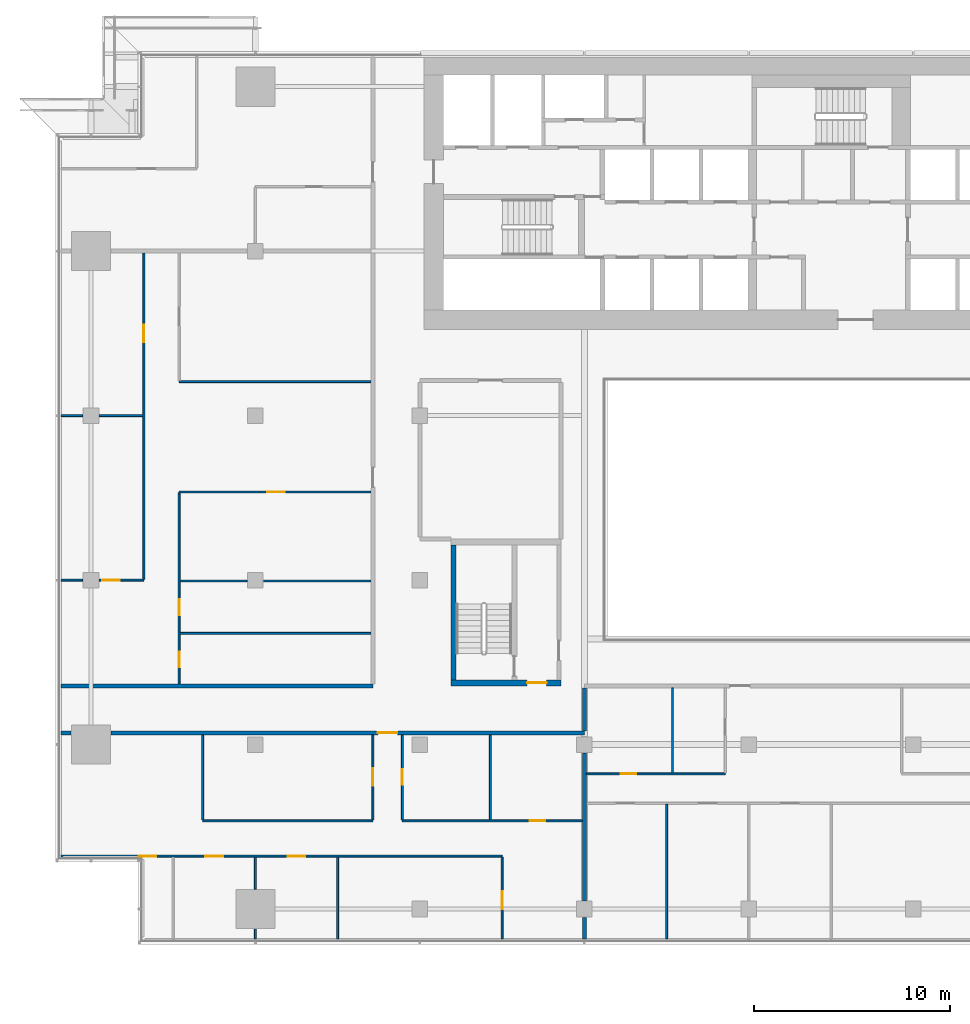
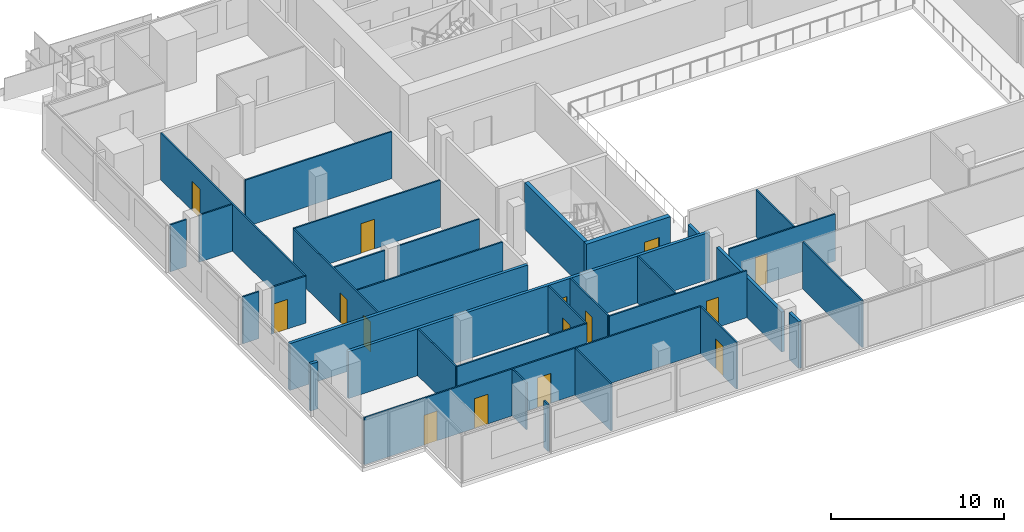
# One storey, part 18 of 30: 33 walls, 15 doors, 15 openings.
"""IFC4 building model written with IfcOpenShell, lengths in metres."""

from ifc_helpers import new_model, si_unit, direction, frame, frame_2d, origin, place, context, subcontext, project, spatial, rectangle, extrude, material, layer, layer_set, type_object, element, fill, save


model = new_model("IFC4")

# Units and contexts
model_context = context("Model", 3, precision=1e-05, world=origin(), true_north=direction((0.0, 1.0)))
body_context = subcontext(model_context, "Body", "Model", "MODEL_VIEW")
ifc_project = project(units=[si_unit("LENGTHUNIT", "METRE"), si_unit("AREAUNIT", "SQUARE_METRE"), si_unit("VOLUMEUNIT", "CUBIC_METRE"), si_unit("PLANEANGLEUNIT", "RADIAN"), si_unit("MASSUNIT", "GRAM", prefix="KILO")], contexts=[model_context])

# Site, building, storey
site_placement = place(None, origin())
site = spatial("IfcSite", under=ifc_project, at=site_placement, CompositionType="ELEMENT")
building_placement = place(site_placement, origin())
building = spatial("IfcBuilding", under=site, at=building_placement, Name="Saffron Gate Tower", CompositionType="ELEMENT")
storey_placement = place(building_placement, frame((0.0, 0.0, 127.64990234375)))
storey = spatial("IfcBuildingStorey", under=building, at=storey_placement, Name="L30", CompositionType="ELEMENT", Elevation=127.64990234375)

# Wall
ifc_material_1 = material(Name="Concrete C70", Category="concrete")
ifc_layer_1 = layer(ifc_material_1, 0.25)
ifc_layer_set_1 = layer_set([ifc_layer_1], Name="CW2 RC core wall 250 C70")
wall_type_1 = type_object("IfcWallType", Name="CW2 RC core wall 250 C70", PredefinedType="SOLIDWALL", material=ifc_layer_set_1)
wall_1_placement = place(storey_placement, frame((68.324951171875, 43.5, 0.0), z_axis=(0.0, 0.0, 1.0), x_axis=(0.0, 1.0, 0.0)))
element("IfcWall", 1, at=wall_1_placement, inside=storey, type_object=wall_type_1, Name="Wall CW2-L30-D-2", PredefinedType="SOLIDWALL", context=body_context, shape_type="SweptSolid", body=[
    extrude(rectangle(XDim=6.89990234375, YDim=0.25, at=frame_2d((3.449951171875, 0.0))), origin(), (0.0, 0.0, 1.0), 3.320068359375),
])

# Wall, opening, door
ifc_layer_2 = layer(ifc_material_1, 0.300048828125)
ifc_layer_set_2 = layer_set([ifc_layer_2], Name="CW5 RC core wall 300 C70")
wall_type_2 = type_object("IfcWallType", Name="CW5 RC core wall 300 C70", PredefinedType="SOLIDWALL", material=ifc_layer_set_2)
wall_2_placement = place(storey_placement, frame((68.199951171875, 43.35009765625, 0.0), z_axis=(0.0, 0.0, 1.0), x_axis=(1.0, 0.0, 0.0)))
wall_2 = element("IfcWall", 2, at=wall_2_placement, inside=storey, type_object=wall_type_2, Name="Wall CW5-L30-D-1", PredefinedType="SOLIDWALL", context=body_context, shape_type="SweptSolid", body=[
    extrude(rectangle(XDim=5.60009765625, YDim=0.300048828125, at=frame_2d((2.800048828125, 0.0))), origin(), (0.0, 0.0, 1.0), 3.320068359375),
])
opening_1_placement = place(wall_2_placement, frame((3.875, 0.0, 0.0)))
opening_1 = element("IfcOpeningElement", 3, at=opening_1_placement, cuts=wall_2, Name="Opening CR-18", PredefinedType="OPENING", context=body_context, shape_type="SweptSolid", body=[
    extrude(rectangle(XDim=1.0, YDim=2.10009765625, at=frame_2d((0.5, 1.050048828125))), frame((0.0, 0.16015625, 0.0), z_axis=(0.0, -1.0, 0.0), x_axis=(1.0, 0.0, 0.0)), (0.0, 0.0, 1.0), 0.320068359375),
])
ifc_material_2 = material(Name="Steel fire door set", Category="steel")
door_type_1 = type_object("IfcDoorType", Name="CD4 Lobby door 1000x2100 EI 120", OperationType="NOTDEFINED", PredefinedType="DOOR", material=ifc_material_2)
door_1_placement = place(opening_1_placement, origin())
door_1 = element("IfcDoor", 4, at=door_1_placement, inside=storey, type_object=door_type_1, Name="DOOR CR-18", OperationType="SINGLE_SWING_RIGHT", OverallHeight=2.10009765625, OverallWidth=1.0, PredefinedType="DOOR", context=body_context, shape_type="SweptSolid", body=[
    extrude(rectangle(XDim=1.0, YDim=2.10009765625, at=frame_2d((0.5, 1.050048828125))), frame((0.0, 0.02490234375, 0.0), z_axis=(0.0, -1.0, 0.0), x_axis=(1.0, 0.0, 0.0)), (0.0, 0.0, 1.0), 0.050048828125),
])
fill(opening_1, door_1)

# Wall, openings, doors
ifc_material_3 = material(Name="Plasterboard on steel studs", Category="steel")
ifc_layer_3 = layer(ifc_material_3, 0.10009765625)
ifc_layer_set_3 = layer_set([ifc_layer_3], Name="PW1 Partition 100")
wall_type_3 = type_object("IfcWallType", Name="PW1 Partition 100", PredefinedType="PARTITIONING", material=ifc_layer_set_3)
wall_3_placement = place(storey_placement, frame((70.800048828125, 34.5, 0.0), z_axis=(0.0, 0.0, 1.0), x_axis=(-1.0, 0.0, 0.0)))
wall_3 = element("IfcWall", 5, at=wall_3_placement, inside=storey, type_object=wall_type_3, Name="Partition B4-1", PredefinedType="PARTITIONING", context=body_context, shape_type="SweptSolid", body=[
    extrude(rectangle(XDim=22.52001953125, YDim=0.10009765625, at=frame_2d((11.260009765625, 0.0))), origin(), (0.0, 0.0, 1.0), 3.320068359375),
])
opening_2_placement = place(wall_3_placement, frame((10.050048828125, 0.0, 0.0)))
opening_2 = element("IfcOpeningElement", 6, at=opening_2_placement, cuts=wall_3, Name="Opening B4-10", PredefinedType="OPENING", context=body_context, shape_type="SweptSolid", body=[
    extrude(rectangle(XDim=0.89990234375, YDim=2.10009765625, at=frame_2d((0.449951171875, 1.050048828125))), frame((0.0, 0.06005859375, 0.0), z_axis=(0.0, -1.0, 0.0), x_axis=(1.0, 0.0, 0.0)), (0.0, 0.0, 1.0), 0.1201171875),
])
opening_3_placement = place(wall_3_placement, frame((14.25, 0.0, 0.0)))
opening_3 = element("IfcOpeningElement", 7, at=opening_3_placement, cuts=wall_3, Name="Opening B4-9", PredefinedType="OPENING", context=body_context, shape_type="SweptSolid", body=[
    extrude(rectangle(XDim=0.89990234375, YDim=2.10009765625, at=frame_2d((0.449951171875, 1.050048828125))), frame((0.0, 0.06005859375, 0.0), z_axis=(0.0, -1.0, 0.0), x_axis=(1.0, 0.0, 0.0)), (0.0, 0.0, 1.0), 0.1201171875),
])
opening_4_placement = place(wall_3_placement, frame((17.65380859375, 0.0, 0.0)))
opening_4 = element("IfcOpeningElement", 8, at=opening_4_placement, cuts=wall_3, Name="Opening B4-8", PredefinedType="OPENING", context=body_context, shape_type="SweptSolid", body=[
    extrude(rectangle(XDim=0.89990234375, YDim=2.10009765625, at=frame_2d((0.449951171875, 1.050048828125))), frame((0.0, 0.06005859375, 0.0), z_axis=(0.0, -1.0, 0.0), x_axis=(1.0, 0.0, 0.0)), (0.0, 0.0, 1.0), 0.1201171875),
])
ifc_material_4 = material(Name="Timber door set", Category="wood")
door_type_2 = type_object("IfcDoorType", Name="RD1 Room door 900x2100", OperationType="NOTDEFINED", PredefinedType="DOOR", material=ifc_material_4)
door_2_placement = place(opening_2_placement, origin())
door_2 = element("IfcDoor", 9, at=door_2_placement, inside=storey, type_object=door_type_2, Name="Door B4-10", OperationType="SINGLE_SWING_RIGHT", OverallHeight=2.10009765625, OverallWidth=0.89990234375, PredefinedType="DOOR", context=body_context, shape_type="SweptSolid", body=[
    extrude(rectangle(XDim=0.89990234375, YDim=2.10009765625, at=frame_2d((0.449951171875, 1.050048828125))), frame((0.0, 0.02490234375, 0.0), z_axis=(0.0, -1.0, 0.0), x_axis=(1.0, 0.0, 0.0)), (0.0, 0.0, 1.0), 0.050048828125),
])
fill(opening_2, door_2)
door_3_placement = place(opening_3_placement, origin())
door_3 = element("IfcDoor", 10, at=door_3_placement, inside=storey, type_object=door_type_2, Name="Door B4-9", OperationType="SINGLE_SWING_RIGHT", OverallHeight=2.10009765625, OverallWidth=0.89990234375, PredefinedType="DOOR", context=body_context, shape_type="SweptSolid", body=[
    extrude(rectangle(XDim=0.89990234375, YDim=2.10009765625, at=frame_2d((0.449951171875, 1.050048828125))), frame((0.0, 0.02490234375, 0.0), z_axis=(0.0, -1.0, 0.0), x_axis=(1.0, 0.0, 0.0)), (0.0, 0.0, 1.0), 0.050048828125),
])
fill(opening_3, door_3)
door_4_placement = place(opening_4_placement, origin())
door_4 = element("IfcDoor", 11, at=door_4_placement, inside=storey, type_object=door_type_2, Name="Door B4-8", OperationType="SINGLE_SWING_LEFT", OverallHeight=2.10009765625, OverallWidth=0.89990234375, PredefinedType="DOOR", context=body_context, shape_type="SweptSolid", body=[
    extrude(rectangle(XDim=0.89990234375, YDim=2.10009765625, at=frame_2d((0.449951171875, 1.050048828125))), frame((0.0, 0.02490234375, 0.0), z_axis=(0.0, -1.0, 0.0), x_axis=(1.0, 0.0, 0.0)), (0.0, 0.0, 1.0), 0.050048828125),
])
fill(opening_4, door_4)

# Wall
wall_4_placement = place(storey_placement, frame((55.5, 36.300048828125, 0.0), z_axis=(0.0, 0.0, 1.0), x_axis=(1.0, 0.0, 0.0)))
element("IfcWall", 12, at=wall_4_placement, inside=storey, type_object=wall_type_3, Name="Partition B4-4", PredefinedType="PARTITIONING", context=body_context, shape_type="SweptSolid", body=[
    extrude(rectangle(XDim=8.699951171875, YDim=0.10009765625, at=frame_2d((4.35009765625, 0.0))), origin(), (0.0, 0.0, 1.0), 3.320068359375),
])

# Wall, opening, door
wall_5_placement = place(storey_placement, frame((65.699951171875, 36.300048828125, 0.0), z_axis=(0.0, 0.0, 1.0), x_axis=(1.0, 0.0, 0.0)))
wall_5 = element("IfcWall", 13, at=wall_5_placement, inside=storey, type_object=wall_type_3, Name="Partition B4-5", PredefinedType="PARTITIONING", context=body_context, shape_type="SweptSolid", body=[
    extrude(rectangle(XDim=9.199951171875, YDim=0.10009765625, at=frame_2d((4.60009765625, 0.0))), origin(), (0.0, 0.0, 1.0), 3.320068359375),
])
opening_5_placement = place(wall_5_placement, frame((6.5, 0.0, 0.0)))
opening_5 = element("IfcOpeningElement", 14, at=opening_5_placement, cuts=wall_5, Name="Opening B4-37", PredefinedType="OPENING", context=body_context, shape_type="SweptSolid", body=[
    extrude(rectangle(XDim=0.800048828125, YDim=2.10009765625, at=frame_2d((0.39990234375, 1.050048828125))), frame((0.0, 0.06005859375, 0.0), z_axis=(0.0, -1.0, 0.0), x_axis=(1.0, 0.0, 0.0)), (0.0, 0.0, 1.0), 0.1201171875),
])
door_type_3 = type_object("IfcDoorType", Name="RD2 Bathroom door 800x2100", OperationType="NOTDEFINED", PredefinedType="DOOR", material=ifc_material_4)
door_5_placement = place(opening_5_placement, origin())
door_5 = element("IfcDoor", 15, at=door_5_placement, inside=storey, type_object=door_type_3, Name="Door B4-37", OperationType="SINGLE_SWING_RIGHT", OverallHeight=2.10009765625, OverallWidth=0.800048828125, PredefinedType="DOOR", context=body_context, shape_type="SweptSolid", body=[
    extrude(rectangle(XDim=0.800048828125, YDim=2.10009765625, at=frame_2d((0.39990234375, 1.050048828125))), frame((0.0, 0.02490234375, 0.0), z_axis=(0.0, -1.0, 0.0), x_axis=(1.0, 0.0, 0.0)), (0.0, 0.0, 1.0), 0.050048828125),
])
fill(opening_5, door_5)

wall_6_placement = place(storey_placement, frame((75.10009765625, 38.699951171875, 0.0), z_axis=(0.0, 0.0, 1.0), x_axis=(1.0, 0.0, 0.0)))
wall_6 = element("IfcWall", 16, at=wall_6_placement, inside=storey, type_object=wall_type_3, Name="Partition B4-9", PredefinedType="PARTITIONING", context=body_context, shape_type="SweptSolid", body=[
    extrude(rectangle(XDim=7.099853515625, YDim=0.10009765625, at=frame_2d((3.5498046875, 0.0))), origin(), (0.0, 0.0, 1.0), 3.320068359375),
])
opening_6_placement = place(wall_6_placement, frame((1.75, 0.0, 0.0)))
opening_6 = element("IfcOpeningElement", 17, at=opening_6_placement, cuts=wall_6, Name="Opening B4-38", PredefinedType="OPENING", context=body_context, shape_type="SweptSolid", body=[
    extrude(rectangle(XDim=0.800048828125, YDim=2.10009765625, at=frame_2d((0.39990234375, 1.050048828125))), frame((0.0, 0.06005859375, 0.0), z_axis=(0.0, -1.0, 0.0), x_axis=(1.0, 0.0, 0.0)), (0.0, 0.0, 1.0), 0.1201171875),
])
door_6_placement = place(opening_6_placement, origin())
door_6 = element("IfcDoor", 18, at=door_6_placement, inside=storey, type_object=door_type_3, Name="Door B4-38", OperationType="SINGLE_SWING_LEFT", OverallHeight=2.10009765625, OverallWidth=0.800048828125, PredefinedType="DOOR", context=body_context, shape_type="SweptSolid", body=[
    extrude(rectangle(XDim=0.800048828125, YDim=2.10009765625, at=frame_2d((0.39990234375, 1.050048828125))), frame((0.0, 0.02490234375, 0.0), z_axis=(0.0, -1.0, 0.0), x_axis=(1.0, 0.0, 0.0)), (0.0, 0.0, 1.0), 0.050048828125),
])
fill(opening_6, door_6)

# Walls
wall_7_placement = place(storey_placement, frame((54.35009765625, 45.876708984375, 0.0), z_axis=(0.0, 0.0, 1.0), x_axis=(1.0, 0.0, 0.0)))
element("IfcWall", 19, at=wall_7_placement, inside=storey, type_object=wall_type_3, Name="Partition B4-18", PredefinedType="PARTITIONING", context=body_context, shape_type="SweptSolid", body=[
    extrude(rectangle(XDim=9.75, YDim=0.10009765625, at=frame_2d((4.875, 0.0))), origin(), (0.0, 0.0, 1.0), 3.320068359375),
])
wall_8_placement = place(storey_placement, frame((54.35009765625, 48.553466796875, 0.0), z_axis=(0.0, 0.0, 1.0), x_axis=(1.0, 0.0, 0.0)))
element("IfcWall", 20, at=wall_8_placement, inside=storey, type_object=wall_type_3, Name="Partition B4-20", PredefinedType="PARTITIONING", context=body_context, shape_type="SweptSolid", body=[
    extrude(rectangle(XDim=3.429931640625, YDim=0.10009765625, at=frame_2d((1.71484375, 0.0))), origin(), (0.0, 0.0, 1.0), 3.320068359375),
])
wall_9_placement = place(storey_placement, frame((58.6201171875, 48.553466796875, 0.0), z_axis=(0.0, 0.0, 1.0), x_axis=(1.0, 0.0, 0.0)))
element("IfcWall", 21, at=wall_9_placement, inside=storey, type_object=wall_type_3, Name="Partition B4-21", PredefinedType="PARTITIONING", context=body_context, shape_type="SweptSolid", body=[
    extrude(rectangle(XDim=5.47998046875, YDim=0.10009765625, at=frame_2d((2.739990234375, 0.0))), origin(), (0.0, 0.0, 1.0), 3.320068359375),
])
wall_10_placement = place(storey_placement, frame((48.280029296875, 48.60009765625, 0.0), z_axis=(0.0, 0.0, 1.0), x_axis=(1.0, 0.0, 0.0)))
element("IfcWall", 22, at=wall_10_placement, inside=storey, type_object=wall_type_3, Name="Partition B4-22", PredefinedType="PARTITIONING", context=body_context, shape_type="SweptSolid", body=[
    extrude(rectangle(XDim=1.099853515625, YDim=0.10009765625, at=frame_2d((0.5498046875, 0.0))), origin(), (0.0, 0.0, 1.0), 3.320068359375),
])

# Wall, opening, door
wall_11_placement = place(storey_placement, frame((50.219970703125, 48.60009765625, 0.0), z_axis=(0.0, 0.0, 1.0), x_axis=(1.0, 0.0, 0.0)))
wall_11 = element("IfcWall", 23, at=wall_11_placement, inside=storey, type_object=wall_type_3, Name="Partition B4-23", PredefinedType="PARTITIONING", context=body_context, shape_type="SweptSolid", body=[
    extrude(rectangle(XDim=2.280029296875, YDim=0.10009765625, at=frame_2d((1.14013671875, 0.0))), origin(), (0.0, 0.0, 1.0), 3.320068359375),
])
opening_7_placement = place(wall_11_placement, frame((0.14990234375, 0.0, 0.0)))
opening_7 = element("IfcOpeningElement", 24, at=opening_7_placement, cuts=wall_11, Name="Opening B4-23", PredefinedType="OPENING", context=body_context, shape_type="SweptSolid", body=[
    extrude(rectangle(XDim=0.89990234375, YDim=2.10009765625, at=frame_2d((0.449951171875, 1.050048828125))), frame((0.0, 0.06005859375, 0.0), z_axis=(0.0, -1.0, 0.0), x_axis=(1.0, 0.0, 0.0)), (0.0, 0.0, 1.0), 0.1201171875),
])
door_7_placement = place(opening_7_placement, origin())
door_7 = element("IfcDoor", 25, at=door_7_placement, inside=storey, type_object=door_type_2, Name="Door B4-23", OperationType="SINGLE_SWING_LEFT", OverallHeight=2.10009765625, OverallWidth=0.89990234375, PredefinedType="DOOR", context=body_context, shape_type="SweptSolid", body=[
    extrude(rectangle(XDim=0.89990234375, YDim=2.10009765625, at=frame_2d((0.449951171875, 1.050048828125))), frame((0.0, 0.02490234375, 0.0), z_axis=(0.0, -1.0, 0.0), x_axis=(1.0, 0.0, 0.0)), (0.0, 0.0, 1.0), 0.050048828125),
])
fill(opening_7, door_7)

wall_12_placement = place(storey_placement, frame((64.10009765625, 53.10009765625, 0.0), z_axis=(0.0, 0.0, 1.0), x_axis=(-1.0, 0.0, 0.0)))
wall_12 = element("IfcWall", 26, at=wall_12_placement, inside=storey, type_object=wall_type_3, Name="Partition B4-30", PredefinedType="PARTITIONING", context=body_context, shape_type="SweptSolid", body=[
    extrude(rectangle(XDim=9.800048828125, YDim=0.10009765625, at=frame_2d((4.89990234375, 0.0))), origin(), (0.0, 0.0, 1.0), 3.320068359375),
])
opening_8_placement = place(wall_12_placement, frame((4.39990234375, 0.0, 0.0)))
opening_8 = element("IfcOpeningElement", 27, at=opening_8_placement, cuts=wall_12, Name="Opening B4-26", PredefinedType="OPENING", context=body_context, shape_type="SweptSolid", body=[
    extrude(rectangle(XDim=0.89990234375, YDim=2.10009765625, at=frame_2d((0.449951171875, 1.050048828125))), frame((0.0, 0.06005859375, 0.0), z_axis=(0.0, -1.0, 0.0), x_axis=(1.0, 0.0, 0.0)), (0.0, 0.0, 1.0), 0.1201171875),
])
door_8_placement = place(opening_8_placement, origin())
door_8 = element("IfcDoor", 28, at=door_8_placement, inside=storey, type_object=door_type_2, Name="Door B4-26", OperationType="SINGLE_SWING_LEFT", OverallHeight=2.10009765625, OverallWidth=0.89990234375, PredefinedType="DOOR", context=body_context, shape_type="SweptSolid", body=[
    extrude(rectangle(XDim=0.89990234375, YDim=2.10009765625, at=frame_2d((0.449951171875, 1.050048828125))), frame((0.0, 0.02490234375, 0.0), z_axis=(0.0, -1.0, 0.0), x_axis=(1.0, 0.0, 0.0)), (0.0, 0.0, 1.0), 0.050048828125),
])
fill(opening_8, door_8)

# Walls
wall_13_placement = place(storey_placement, frame((48.280029296875, 57.0, 0.0), z_axis=(0.0, 0.0, 1.0), x_axis=(1.0, 0.0, 0.0)))
element("IfcWall", 29, at=wall_13_placement, inside=storey, type_object=wall_type_3, Name="Partition B4-36", PredefinedType="PARTITIONING", context=body_context, shape_type="SweptSolid", body=[
    extrude(rectangle(XDim=1.099853515625, YDim=0.10009765625, at=frame_2d((0.5498046875, 0.0))), origin(), (0.0, 0.0, 1.0), 3.320068359375),
])
wall_14_placement = place(storey_placement, frame((50.219970703125, 57.0, 0.0), z_axis=(0.0, 0.0, 1.0), x_axis=(1.0, 0.0, 0.0)))
element("IfcWall", 30, at=wall_14_placement, inside=storey, type_object=wall_type_3, Name="Partition B4-37", PredefinedType="PARTITIONING", context=body_context, shape_type="SweptSolid", body=[
    extrude(rectangle(XDim=2.22998046875, YDim=0.10009765625, at=frame_2d((1.114990234375, 0.0))), origin(), (0.0, 0.0, 1.0), 3.320068359375),
])
wall_15_placement = place(storey_placement, frame((54.300048828125, 58.741455078125, 0.0), z_axis=(0.0, 0.0, 1.0), x_axis=(1.0, 0.0, 0.0)))
element("IfcWall", 31, at=wall_15_placement, inside=storey, type_object=wall_type_3, Name="Partition B4-38", PredefinedType="PARTITIONING", context=body_context, shape_type="SweptSolid", body=[
    extrude(rectangle(XDim=9.800048828125, YDim=0.10009765625, at=frame_2d((4.89990234375, 0.0))), origin(), (0.0, 0.0, 1.0), 3.320068359375),
])

# Wall, opening, door
wall_16_placement = place(storey_placement, frame((52.5, 48.64990234375, 0.0), z_axis=(0.0, 0.0, 1.0), x_axis=(0.0, 1.0, 0.0)))
wall_16 = element("IfcWall", 32, at=wall_16_placement, inside=storey, type_object=wall_type_3, Name="Partition B4-53", PredefinedType="PARTITIONING", context=body_context, shape_type="SweptSolid", body=[
    extrude(rectangle(XDim=16.650146484375, YDim=0.10009765625, at=frame_2d((8.3251953125, 0.0))), origin(), (0.0, 0.0, 1.0), 3.320068359375),
])
opening_9_placement = place(wall_16_placement, frame((12.10009765625, 0.0, 0.0)))
opening_9 = element("IfcOpeningElement", 33, at=opening_9_placement, cuts=wall_16, Name="Opening B4-24", PredefinedType="OPENING", context=body_context, shape_type="SweptSolid", body=[
    extrude(rectangle(XDim=0.89990234375, YDim=2.10009765625, at=frame_2d((0.449951171875, 1.050048828125))), frame((0.0, 0.06005859375, 0.0), z_axis=(0.0, -1.0, 0.0), x_axis=(1.0, 0.0, 0.0)), (0.0, 0.0, 1.0), 0.1201171875),
])
door_9_placement = place(opening_9_placement, origin())
door_9 = element("IfcDoor", 34, at=door_9_placement, inside=storey, type_object=door_type_2, Name="Door B4-24", OperationType="SINGLE_SWING_RIGHT", OverallHeight=2.10009765625, OverallWidth=0.89990234375, PredefinedType="DOOR", context=body_context, shape_type="SweptSolid", body=[
    extrude(rectangle(XDim=0.89990234375, YDim=2.10009765625, at=frame_2d((0.449951171875, 1.050048828125))), frame((0.0, 0.02490234375, 0.0), z_axis=(0.0, -1.0, 0.0), x_axis=(1.0, 0.0, 0.0)), (0.0, 0.0, 1.0), 0.050048828125),
])
fill(opening_9, door_9)

# Wall, openings, doors
wall_17_placement = place(storey_placement, frame((54.300048828125, 53.050048828125, 0.0), z_axis=(0.0, 0.0, 1.0), x_axis=(0.0, -1.0, 0.0)))
wall_17 = element("IfcWall", 35, at=wall_17_placement, inside=storey, type_object=wall_type_3, Name="Partition B4-55", PredefinedType="PARTITIONING", context=body_context, shape_type="SweptSolid", body=[
    extrude(rectangle(XDim=9.75, YDim=0.10009765625, at=frame_2d((4.875, 0.0))), origin(), (0.0, 0.0, 1.0), 3.320068359375),
])
opening_10_placement = place(wall_17_placement, frame((5.434814453125, 0.0, 0.0)))
opening_10 = element("IfcOpeningElement", 36, at=opening_10_placement, cuts=wall_17, Name="Opening B4-43", PredefinedType="OPENING", context=body_context, shape_type="SweptSolid", body=[
    extrude(rectangle(XDim=0.800048828125, YDim=2.10009765625, at=frame_2d((0.39990234375, 1.050048828125))), frame((0.0, 0.06005859375, 0.0), z_axis=(0.0, -1.0, 0.0), x_axis=(1.0, 0.0, 0.0)), (0.0, 0.0, 1.0), 0.1201171875),
])
opening_11_placement = place(wall_17_placement, frame((8.111572265625, 0.0, 0.0)))
opening_11 = element("IfcOpeningElement", 37, at=opening_11_placement, cuts=wall_17, Name="Opening B4-42", PredefinedType="OPENING", context=body_context, shape_type="SweptSolid", body=[
    extrude(rectangle(XDim=0.800048828125, YDim=2.10009765625, at=frame_2d((0.39990234375, 1.050048828125))), frame((0.0, 0.06005859375, 0.0), z_axis=(0.0, -1.0, 0.0), x_axis=(1.0, 0.0, 0.0)), (0.0, 0.0, 1.0), 0.1201171875),
])
door_10_placement = place(opening_10_placement, origin())
door_10 = element("IfcDoor", 38, at=door_10_placement, inside=storey, type_object=door_type_3, Name="Door B4-43", OperationType="SINGLE_SWING_LEFT", OverallHeight=2.10009765625, OverallWidth=0.800048828125, PredefinedType="DOOR", context=body_context, shape_type="SweptSolid", body=[
    extrude(rectangle(XDim=0.800048828125, YDim=2.10009765625, at=frame_2d((0.39990234375, 1.050048828125))), frame((0.0, 0.02490234375, 0.0), z_axis=(0.0, -1.0, 0.0), x_axis=(1.0, 0.0, 0.0)), (0.0, 0.0, 1.0), 0.050048828125),
])
fill(opening_10, door_10)
door_11_placement = place(opening_11_placement, origin())
door_11 = element("IfcDoor", 39, at=door_11_placement, inside=storey, type_object=door_type_3, Name="Door B4-42", OperationType="SINGLE_SWING_RIGHT", OverallHeight=2.10009765625, OverallWidth=0.800048828125, PredefinedType="DOOR", context=body_context, shape_type="SweptSolid", body=[
    extrude(rectangle(XDim=0.800048828125, YDim=2.10009765625, at=frame_2d((0.39990234375, 1.050048828125))), frame((0.0, 0.02490234375, 0.0), z_axis=(0.0, -1.0, 0.0), x_axis=(1.0, 0.0, 0.0)), (0.0, 0.0, 1.0), 0.050048828125),
])
fill(opening_11, door_11)

# Walls
wall_18_placement = place(storey_placement, frame((55.5, 40.699951171875, 0.0), z_axis=(0.0, 0.0, 1.0), x_axis=(0.0, -1.0, 0.0)))
element("IfcWall", 40, at=wall_18_placement, inside=storey, type_object=wall_type_3, Name="Partition B4-58", PredefinedType="PARTITIONING", context=body_context, shape_type="SweptSolid", body=[
    extrude(rectangle(XDim=4.349853515625, YDim=0.10009765625, at=frame_2d((2.1748046875, 0.0))), origin(), (0.0, 0.0, 1.0), 3.320068359375),
])
wall_19_placement = place(storey_placement, frame((58.199951171875, 30.780029296875, 0.0), z_axis=(0.0, 0.0, 1.0), x_axis=(0.0, -1.0, 0.0)))
element("IfcWall", 41, at=wall_19_placement, inside=storey, type_object=wall_type_3, Name="Partition B4-59", PredefinedType="PARTITIONING", context=body_context, shape_type="SweptSolid", body=[
    extrude(rectangle(XDim=0.5, YDim=0.10009765625, at=frame_2d((0.25, 0.0))), origin(), (0.0, 0.0, 1.0), 3.320068359375),
])
wall_20_placement = place(storey_placement, frame((58.199951171875, 34.449951171875, 0.0), z_axis=(0.0, 0.0, 1.0), x_axis=(0.0, -1.0, 0.0)))
element("IfcWall", 42, at=wall_20_placement, inside=storey, type_object=wall_type_3, Name="Partition B4-60", PredefinedType="PARTITIONING", context=body_context, shape_type="SweptSolid", body=[
    extrude(rectangle(XDim=1.6298828125, YDim=0.10009765625, at=frame_2d((0.81494140625, 0.0))), origin(), (0.0, 0.0, 1.0), 3.320068359375),
])
wall_21_placement = place(storey_placement, frame((62.39990234375, 34.449951171875, 0.0), z_axis=(0.0, 0.0, 1.0), x_axis=(0.0, -1.0, 0.0)))
element("IfcWall", 43, at=wall_21_placement, inside=storey, type_object=wall_type_3, Name="Partition B4-62", PredefinedType="PARTITIONING", context=body_context, shape_type="SweptSolid", body=[
    extrude(rectangle(XDim=4.169921875, YDim=0.10009765625, at=frame_2d((2.0849609375, 0.0))), origin(), (0.0, 0.0, 1.0), 3.320068359375),
])

# Wall, opening, door
wall_22_placement = place(storey_placement, frame((64.199951171875, 36.35009765625, 0.0), z_axis=(0.0, 0.0, 1.0), x_axis=(0.0, 1.0, 0.0)))
wall_22 = element("IfcWall", 44, at=wall_22_placement, inside=storey, type_object=wall_type_3, Name="Partition B4-64", PredefinedType="PARTITIONING", context=body_context, shape_type="SweptSolid", body=[
    extrude(rectangle(XDim=4.349853515625, YDim=0.10009765625, at=frame_2d((2.1748046875, 0.0))), origin(), (0.0, 0.0, 1.0), 3.320068359375),
])
opening_12_placement = place(wall_22_placement, frame((1.75, 0.0, 0.0)))
opening_12 = element("IfcOpeningElement", 45, at=opening_12_placement, cuts=wall_22, Name="Opening B4-12", PredefinedType="OPENING", context=body_context, shape_type="SweptSolid", body=[
    extrude(rectangle(XDim=0.89990234375, YDim=2.10009765625, at=frame_2d((0.449951171875, 1.050048828125))), frame((0.0, 0.06005859375, 0.0), z_axis=(0.0, -1.0, 0.0), x_axis=(1.0, 0.0, 0.0)), (0.0, 0.0, 1.0), 0.1201171875),
])
door_12_placement = place(opening_12_placement, origin())
door_12 = element("IfcDoor", 46, at=door_12_placement, inside=storey, type_object=door_type_2, Name="Door B4-12", OperationType="SINGLE_SWING_RIGHT", OverallHeight=2.10009765625, OverallWidth=0.89990234375, PredefinedType="DOOR", context=body_context, shape_type="SweptSolid", body=[
    extrude(rectangle(XDim=0.89990234375, YDim=2.10009765625, at=frame_2d((0.449951171875, 1.050048828125))), frame((0.0, 0.02490234375, 0.0), z_axis=(0.0, -1.0, 0.0), x_axis=(1.0, 0.0, 0.0)), (0.0, 0.0, 1.0), 0.050048828125),
])
fill(opening_12, door_12)

wall_23_placement = place(storey_placement, frame((65.699951171875, 40.699951171875, 0.0), z_axis=(0.0, 0.0, 1.0), x_axis=(0.0, -1.0, 0.0)))
wall_23 = element("IfcWall", 47, at=wall_23_placement, inside=storey, type_object=wall_type_3, Name="Partition B4-65", PredefinedType="PARTITIONING", context=body_context, shape_type="SweptSolid", body=[
    extrude(rectangle(XDim=4.349853515625, YDim=0.10009765625, at=frame_2d((2.1748046875, 0.0))), origin(), (0.0, 0.0, 1.0), 3.320068359375),
])
opening_13_placement = place(wall_23_placement, frame((1.75, 0.0, 0.0)))
opening_13 = element("IfcOpeningElement", 48, at=opening_13_placement, cuts=wall_23, Name="Opening B4-36", PredefinedType="OPENING", context=body_context, shape_type="SweptSolid", body=[
    extrude(rectangle(XDim=0.800048828125, YDim=2.10009765625, at=frame_2d((0.39990234375, 1.050048828125))), frame((0.0, 0.06005859375, 0.0), z_axis=(0.0, -1.0, 0.0), x_axis=(1.0, 0.0, 0.0)), (0.0, 0.0, 1.0), 0.1201171875),
])
door_13_placement = place(opening_13_placement, origin())
door_13 = element("IfcDoor", 49, at=door_13_placement, inside=storey, type_object=door_type_3, Name="Door B4-36", OperationType="SINGLE_SWING_LEFT", OverallHeight=2.10009765625, OverallWidth=0.800048828125, PredefinedType="DOOR", context=body_context, shape_type="SweptSolid", body=[
    extrude(rectangle(XDim=0.800048828125, YDim=2.10009765625, at=frame_2d((0.39990234375, 1.050048828125))), frame((0.0, 0.02490234375, 0.0), z_axis=(0.0, -1.0, 0.0), x_axis=(1.0, 0.0, 0.0)), (0.0, 0.0, 1.0), 0.050048828125),
])
fill(opening_13, door_13)

# Wall
wall_24_placement = place(storey_placement, frame((70.199951171875, 40.699951171875, 0.0), z_axis=(0.0, 0.0, 1.0), x_axis=(0.0, -1.0, 0.0)))
element("IfcWall", 50, at=wall_24_placement, inside=storey, type_object=wall_type_3, Name="Partition B4-68", PredefinedType="PARTITIONING", context=body_context, shape_type="SweptSolid", body=[
    extrude(rectangle(XDim=4.349853515625, YDim=0.10009765625, at=frame_2d((2.1748046875, 0.0))), origin(), (0.0, 0.0, 1.0), 3.320068359375),
])

# Wall, opening, door
wall_25_placement = place(storey_placement, frame((70.800048828125, 30.280029296875, 0.0), z_axis=(0.0, 0.0, 1.0), x_axis=(0.0, 1.0, 0.0)))
wall_25 = element("IfcWall", 51, at=wall_25_placement, inside=storey, type_object=wall_type_3, Name="Partition B4-69", PredefinedType="PARTITIONING", context=body_context, shape_type="SweptSolid", body=[
    extrude(rectangle(XDim=4.169921875, YDim=0.10009765625, at=frame_2d((2.0849609375, 0.0))), origin(), (0.0, 0.0, 1.0), 3.320068359375),
])
opening_14_placement = place(wall_25_placement, frame((1.52001953125, 0.0, 0.0)))
opening_14 = element("IfcOpeningElement", 52, at=opening_14_placement, cuts=wall_25, Name="Opening B4-11", PredefinedType="OPENING", context=body_context, shape_type="SweptSolid", body=[
    extrude(rectangle(XDim=0.89990234375, YDim=2.10009765625, at=frame_2d((0.449951171875, 1.050048828125))), frame((0.0, 0.06005859375, 0.0), z_axis=(0.0, -1.0, 0.0), x_axis=(1.0, 0.0, 0.0)), (0.0, 0.0, 1.0), 0.1201171875),
])
door_14_placement = place(opening_14_placement, origin())
door_14 = element("IfcDoor", 53, at=door_14_placement, inside=storey, type_object=door_type_2, Name="Door B4-11", OperationType="SINGLE_SWING_LEFT", OverallHeight=2.10009765625, OverallWidth=0.89990234375, PredefinedType="DOOR", context=body_context, shape_type="SweptSolid", body=[
    extrude(rectangle(XDim=0.89990234375, YDim=2.10009765625, at=frame_2d((0.449951171875, 1.050048828125))), frame((0.0, 0.02490234375, 0.0), z_axis=(0.0, -1.0, 0.0), x_axis=(1.0, 0.0, 0.0)), (0.0, 0.0, 1.0), 0.050048828125),
])
fill(opening_14, door_14)

# Walls
wall_26_placement = place(storey_placement, frame((79.199951171875, 37.14990234375, 0.0), z_axis=(0.0, 0.0, 1.0), x_axis=(0.0, -1.0, 0.0)))
element("IfcWall", 54, at=wall_26_placement, inside=storey, type_object=wall_type_3, Name="Partition B4-74", PredefinedType="PARTITIONING", context=body_context, shape_type="SweptSolid", body=[
    extrude(rectangle(XDim=6.869873046875, YDim=0.10009765625, at=frame_2d((3.43505859375, 0.0))), origin(), (0.0, 0.0, 1.0), 3.320068359375),
])
wall_27_placement = place(storey_placement, frame((79.5, 43.10009765625, 0.0), z_axis=(0.0, 0.0, 1.0), x_axis=(0.0, -1.0, 0.0)))
element("IfcWall", 55, at=wall_27_placement, inside=storey, type_object=wall_type_3, Name="Partition B4-75", PredefinedType="PARTITIONING", context=body_context, shape_type="SweptSolid", body=[
    extrude(rectangle(XDim=4.35009765625, YDim=0.10009765625, at=frame_2d((2.175048828125, 0.0))), origin(), (0.0, 0.0, 1.0), 3.320068359375),
])
ifc_material_5 = material(Name="Clay brick masonry, rendered", Category="masonry")
ifc_layer_4 = layer(ifc_material_5, 0.199951171875)
ifc_layer_set_4 = layer_set([ifc_layer_4], Name="PW2 Demising wall 200")
wall_type_4 = type_object("IfcWallType", Name="PW2 Demising wall 200", PredefinedType="PARTITIONING", material=ifc_layer_set_4)
wall_28_placement = place(storey_placement, frame((75.0, 31.3798828125, 0.0), z_axis=(0.0, 0.0, 1.0), x_axis=(0.0, -1.0, 0.0)))
element("IfcWall", 56, at=wall_28_placement, inside=storey, type_object=wall_type_4, Name="Wall B4-72", PredefinedType="PARTITIONING", context=body_context, shape_type="SweptSolid", body=[
    extrude(rectangle(XDim=1.099853515625, YDim=0.199951171875, at=frame_2d((0.5498046875, 0.0))), origin(), (0.0, 0.0, 1.0), 3.320068359375),
])
wall_29_placement = place(storey_placement, frame((75.0, 39.780029296875, 0.0), z_axis=(0.0, 0.0, 1.0), x_axis=(0.0, -1.0, 0.0)))
element("IfcWall", 57, at=wall_29_placement, inside=storey, type_object=wall_type_4, Name="Wall B4-73", PredefinedType="PARTITIONING", context=body_context, shape_type="SweptSolid", body=[
    extrude(rectangle(XDim=7.56005859375, YDim=0.199951171875, at=frame_2d((3.780029296875, 0.0))), origin(), (0.0, 0.0, 1.0), 2.830078125),
])
ifc_layer_5 = layer(ifc_material_5, 0.199951171875)
ifc_layer_set_5 = layer_set([ifc_layer_5], Name="PW3 Corridor wall 200")
wall_type_5 = type_object("IfcWallType", Name="PW3 Corridor wall 200", PredefinedType="PARTITIONING", material=ifc_layer_set_5)
wall_30_placement = place(storey_placement, frame((48.280029296875, 40.800048828125, 0.0), z_axis=(0.0, 0.0, 1.0), x_axis=(1.0, 0.0, 0.0)))
element("IfcWall", 58, at=wall_30_placement, inside=storey, type_object=wall_type_5, Name="Wall B4-11", PredefinedType="PARTITIONING", context=body_context, shape_type="SweptSolid", body=[
    extrude(rectangle(XDim=0.5, YDim=0.199951171875, at=frame_2d((0.25, 0.0))), origin(), (0.0, 0.0, 1.0), 3.320068359375),
])

# Wall, opening, door
wall_31_placement = place(storey_placement, frame((75.0, 40.800048828125, 0.0), z_axis=(0.0, 0.0, 1.0), x_axis=(-1.0, 0.0, 0.0)))
wall_31 = element("IfcWall", 59, at=wall_31_placement, inside=storey, type_object=wall_type_5, Name="Wall B4-12", PredefinedType="PARTITIONING", context=body_context, shape_type="SweptSolid", body=[
    extrude(rectangle(XDim=24.179931640625, YDim=0.199951171875, at=frame_2d((12.08984375, 0.0))), origin(), (0.0, 0.0, 1.0), 3.320068359375),
])
opening_15_placement = place(wall_31_placement, frame((9.550048828125, 0.0, 0.0)))
opening_15 = element("IfcOpeningElement", 60, at=opening_15_placement, cuts=wall_31, Name="Opening B4-1", PredefinedType="OPENING", context=body_context, shape_type="SweptSolid", body=[
    extrude(rectangle(XDim=1.0, YDim=2.10009765625, at=frame_2d((0.5, 1.050048828125))), frame((0.0, 0.10986328125, 0.0), z_axis=(0.0, -1.0, 0.0), x_axis=(1.0, 0.0, 0.0)), (0.0, 0.0, 1.0), 0.219970703125),
])
ifc_material_6 = material(Name="Timber fire door set", Category="wood")
door_type_4 = type_object("IfcDoorType", Name="FD1 Flat entry door 1000x2100", OperationType="NOTDEFINED", PredefinedType="DOOR", material=ifc_material_6)
door_15_placement = place(opening_15_placement, origin())
door_15 = element("IfcDoor", 61, at=door_15_placement, inside=storey, type_object=door_type_4, Name="Door B4-1", OperationType="SINGLE_SWING_LEFT", OverallHeight=2.10009765625, OverallWidth=1.0, PredefinedType="DOOR", context=body_context, shape_type="SweptSolid", body=[
    extrude(rectangle(XDim=1.0, YDim=2.10009765625, at=frame_2d((0.5, 1.050048828125))), frame((0.0, 0.02490234375, 0.0), z_axis=(0.0, -1.0, 0.0), x_axis=(1.0, 0.0, 0.0)), (0.0, 0.0, 1.0), 0.050048828125),
])
fill(opening_15, door_15)

# Walls
wall_32_placement = place(storey_placement, frame((48.280029296875, 43.199951171875, 0.0), z_axis=(0.0, 0.0, 1.0), x_axis=(1.0, 0.0, 0.0)))
element("IfcWall", 62, at=wall_32_placement, inside=storey, type_object=wall_type_5, Name="Wall B4-15", PredefinedType="PARTITIONING", context=body_context, shape_type="SweptSolid", body=[
    extrude(rectangle(XDim=15.919921875, YDim=0.199951171875, at=frame_2d((7.9599609375, 0.0))), origin(), (0.0, 0.0, 1.0), 3.320068359375),
])
wall_33_placement = place(storey_placement, frame((75.0, 43.10009765625, 0.0), z_axis=(0.0, 0.0, 1.0), x_axis=(0.0, -1.0, 0.0)))
element("IfcWall", 63, at=wall_33_placement, inside=storey, type_object=wall_type_5, Name="Wall B4-71", PredefinedType="PARTITIONING", context=body_context, shape_type="SweptSolid", body=[
    extrude(rectangle(XDim=2.2001953125, YDim=0.199951171875, at=frame_2d((1.10009765625, 0.0))), origin(), (0.0, 0.0, 1.0), 2.43017578125),
])

save(model, "model.ifc")
